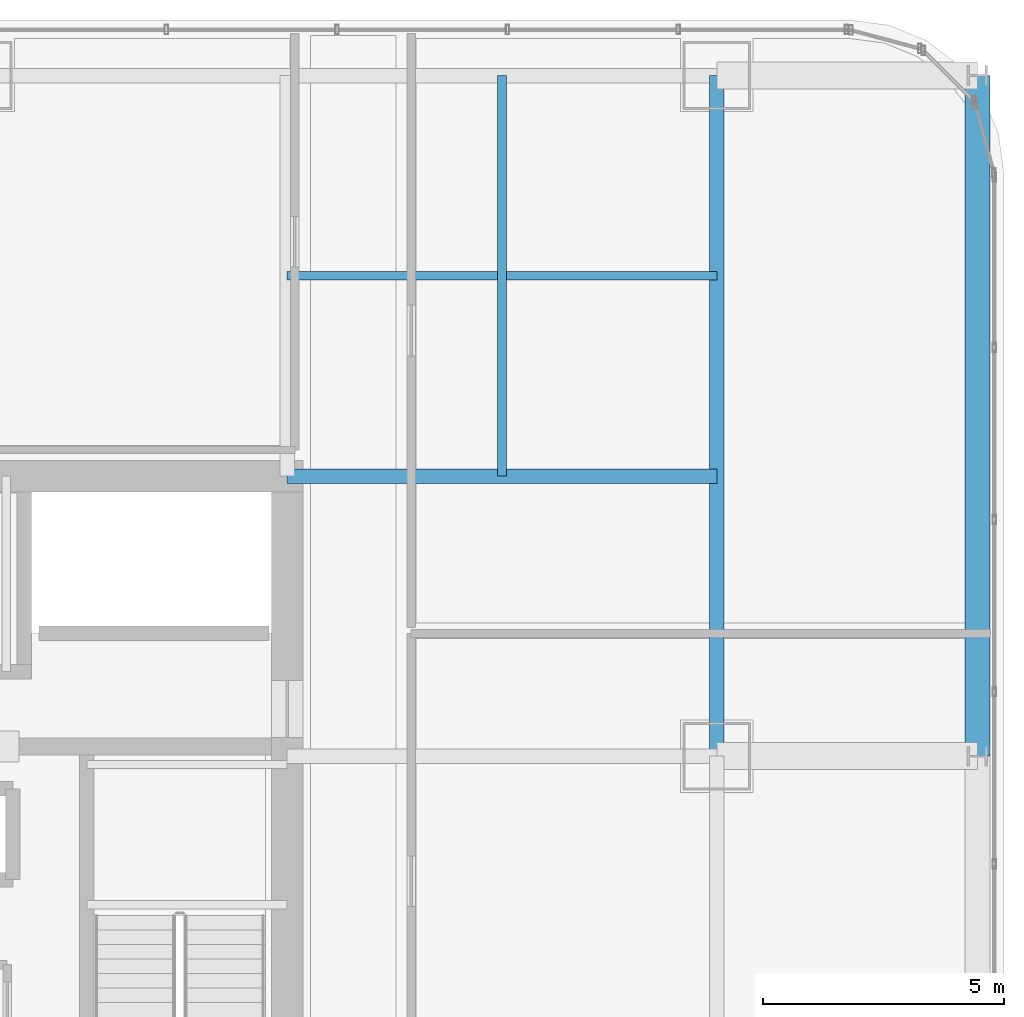
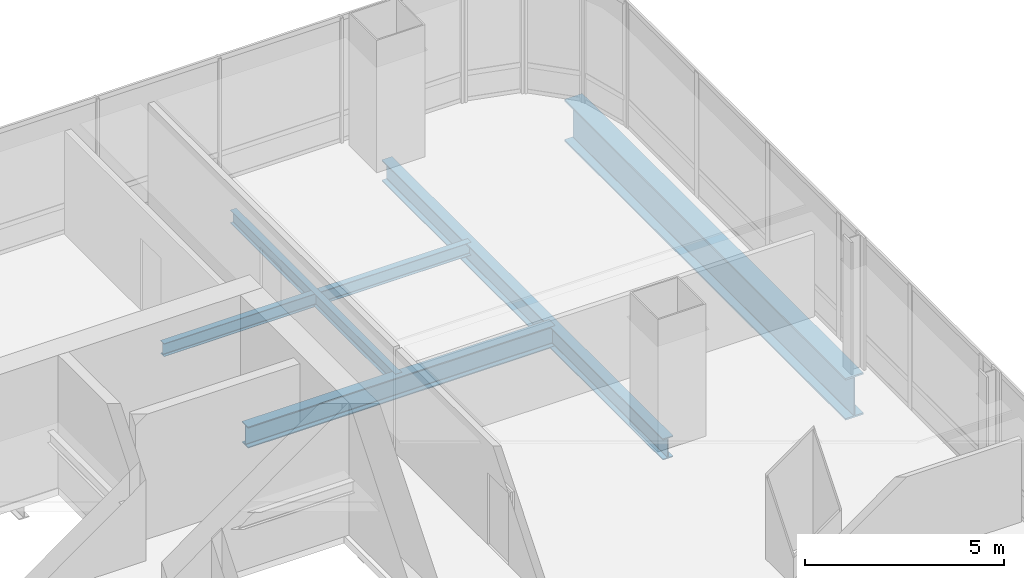
# One storey, part 25 of 36: 5 beams.
"""IFC4 building model written with IfcOpenShell, lengths in metres."""

from ifc_helpers import new_model, si_unit, direction, frame, origin, origin_2d, place, context, subcontext, project, spatial, i_section, extrude, material, material_profile, profile_set, type_object, element, save


model = new_model("IFC4")

# Units and contexts
model_context = context("Model", 3, precision=1e-05, world=origin(), true_north=direction((0.0, 1.0)))
body_context = subcontext(model_context, "Body", "Model", "MODEL_VIEW")
ifc_project = project(units=[si_unit("LENGTHUNIT", "METRE"), si_unit("AREAUNIT", "SQUARE_METRE"), si_unit("VOLUMEUNIT", "CUBIC_METRE"), si_unit("PLANEANGLEUNIT", "RADIAN"), si_unit("MASSUNIT", "GRAM", prefix="KILO")], contexts=[model_context])

# Site, building, storey
site_placement = place(None, origin())
site = spatial("IfcSite", under=ifc_project, at=site_placement, CompositionType="ELEMENT")
building_placement = place(site_placement, origin())
building = spatial("IfcBuilding", under=site, at=building_placement, Name="Punatoya Terracotta Tower", CompositionType="ELEMENT")
storey_placement = place(building_placement, frame((0.0, 0.0, 208.64990234375)))
storey = spatial("IfcBuildingStorey", under=building, at=storey_placement, Name="L49", CompositionType="ELEMENT", Elevation=208.64990234375)

# Beams
ifc_material_1 = material(Name="Steel S355", Category="steel")
ifc_material_profile_1 = material_profile(ifc_material_1, i_section(OverallWidth=0.300048828125, OverallDepth=0.64990234375, WebThickness=0.01611328125, FlangeThickness=0.031005859375, FilletRadius=0.01806640625, at=origin_2d()))
ifc_profile_set_1 = profile_set([ifc_material_profile_1], Name="Steel S355")
beam_type_1 = type_object("IfcBeamType", Name="BM-PRI-650", PredefinedType="BEAM", material=ifc_profile_set_1)
beam_1_placement = place(storey_placement, frame((19.10009765625, 3.39990234375, -0.544921875), z_axis=(0.0, 1.0, 0.0), x_axis=(-1.0, 0.0, 0.0)))
element("IfcBeam", 1, at=beam_1_placement, inside=storey, type_object=beam_type_1, Name="BM-L49-RG-E3", PredefinedType="BEAM", context=body_context, shape_type="SweptSolid", body=[
    extrude(i_section(OverallWidth=0.300048828125, OverallDepth=0.64990234375, WebThickness=0.01611328125, FlangeThickness=0.031005859375, FilletRadius=0.01806640625, at=origin_2d()), origin(), (0.0, 0.0, 1.0), 14.10009765625),
])
beam_2_placement = place(storey_placement, frame((10.199951171875, 9.199951171875, -0.544921875), z_axis=(1.0, 0.0, 0.0), x_axis=(0.0, 1.0, 0.0)))
element("IfcBeam", 2, at=beam_2_placement, inside=storey, type_object=beam_type_1, Name="BM-L49-PR-EN", PredefinedType="BEAM", context=body_context, shape_type="SweptSolid", body=[
    extrude(i_section(OverallWidth=0.300048828125, OverallDepth=0.64990234375, WebThickness=0.01611328125, FlangeThickness=0.031005859375, FilletRadius=0.01806640625, at=origin_2d()), origin(), (0.0, 0.0, 1.0), 8.900146484375),
])
ifc_material_profile_2 = material_profile(ifc_material_1, i_section(OverallWidth=0.179931640625, OverallDepth=0.39990234375, WebThickness=0.008544921875, FlangeThickness=0.013427734375, FilletRadius=0.01806640625, at=origin_2d()))
ifc_profile_set_2 = profile_set([ifc_material_profile_2], Name="Steel S355")
beam_type_2 = type_object("IfcBeamType", Name="BM-SEC-400", PredefinedType="JOIST", material=ifc_profile_set_2)
beam_3_placement = place(storey_placement, frame((10.199951171875, 13.35009765625, -0.419921875), z_axis=(1.0, 0.0, 0.0), x_axis=(0.0, 1.0, 0.0)))
element("IfcBeam", 3, at=beam_3_placement, inside=storey, type_object=beam_type_2, Name="BM-L49-SJN-2", PredefinedType="JOIST", context=body_context, shape_type="SweptSolid", body=[
    extrude(i_section(OverallWidth=0.179931640625, OverallDepth=0.39990234375, WebThickness=0.008544921875, FlangeThickness=0.013427734375, FilletRadius=0.01806640625, at=origin_2d()), origin(), (0.0, 0.0, 1.0), 8.900146484375),
])
beam_4_placement = place(storey_placement, frame((14.64990234375, 9.199951171875, -0.419921875), z_axis=(0.0, 1.0, 0.0), x_axis=(-1.0, 0.0, 0.0)))
element("IfcBeam", 4, at=beam_4_placement, inside=storey, type_object=beam_type_2, Name="BM-L49-SJE-2", PredefinedType="JOIST", context=body_context, shape_type="SweptSolid", body=[
    extrude(i_section(OverallWidth=0.179931640625, OverallDepth=0.39990234375, WebThickness=0.008544921875, FlangeThickness=0.013427734375, FilletRadius=0.01806640625, at=origin_2d()), origin(), (0.0, 0.0, 1.0), 8.300048828125),
])
ifc_material_2 = material(Name="Steel S460", Category="steel")
ifc_material_profile_3 = material_profile(ifc_material_2, i_section(OverallWidth=0.52001953125, OverallDepth=1.280029296875, WebThickness=0.031982421875, FlangeThickness=0.050048828125, FilletRadius=0.01806640625, at=origin_2d()))
ifc_profile_set_3 = profile_set([ifc_material_profile_3], Name="Steel S460")
beam_type_3 = type_object("IfcBeamType", Name="BM-TG-NCK", PredefinedType="BEAM", material=ifc_profile_set_3)
beam_5_placement = place(storey_placement, frame((24.5, 3.39990234375, -0.85986328125), z_axis=(0.0, 1.0, 0.0), x_axis=(-1.0, 0.0, 0.0)))
element("IfcBeam", 5, at=beam_5_placement, inside=storey, type_object=beam_type_3, Name="BM-L49-PER-E3", PredefinedType="BEAM", context=body_context, shape_type="SweptSolid", body=[
    extrude(i_section(OverallWidth=0.52001953125, OverallDepth=1.280029296875, WebThickness=0.031982421875, FlangeThickness=0.050048828125, FilletRadius=0.01806640625, at=origin_2d()), origin(), (0.0, 0.0, 1.0), 14.10009765625),
])

save(model, "model.ifc")
